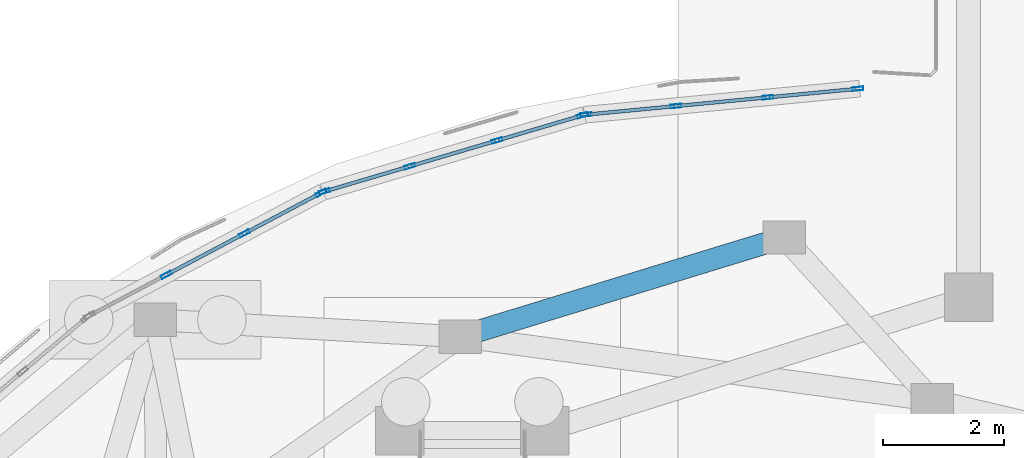
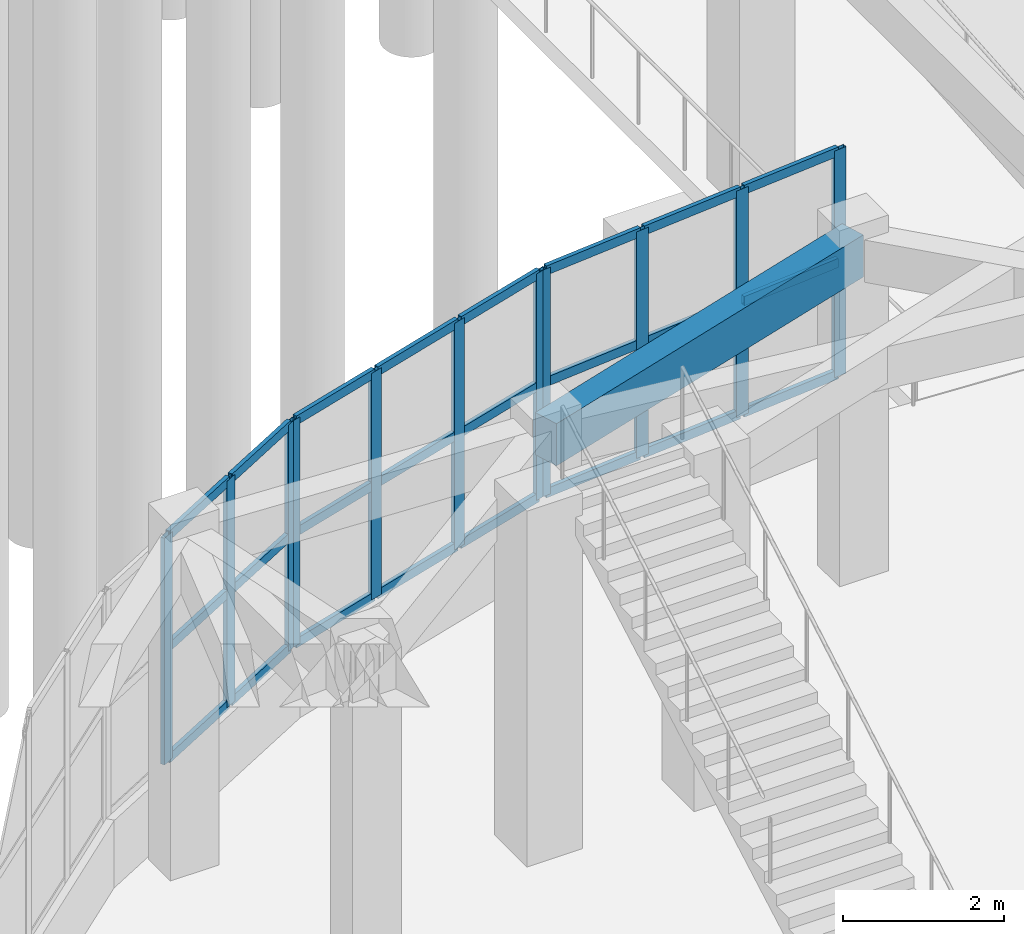
# One storey, part 20 of 96: 35 members, 1 beam, 3 elements without a shape of their own.
"""IFC4 building model written with IfcOpenShell, lengths in metres."""

from ifc_helpers import new_model, si_unit, direction, frame, origin, origin_2d, place, context, subcontext, project, spatial, rectangle, hollow_rectangle, extrude, material, layer, layer_set, material_profile, profile_set, type_object, element, aggregate, save


model = new_model("IFC4")

# Units and contexts
model_context = context("Model", 3, precision=1e-05, world=origin(), true_north=direction((0.0, 1.0)))
body_context = subcontext(model_context, "Body", "Model", "MODEL_VIEW")
ifc_project = project(units=[si_unit("LENGTHUNIT", "METRE"), si_unit("AREAUNIT", "SQUARE_METRE"), si_unit("VOLUMEUNIT", "CUBIC_METRE"), si_unit("PLANEANGLEUNIT", "RADIAN"), si_unit("MASSUNIT", "GRAM", prefix="KILO")], contexts=[model_context])

# Site, building, storey
site_placement = place(None, origin())
site = spatial("IfcSite", under=ifc_project, at=site_placement, CompositionType="ELEMENT")
building_placement = place(site_placement, origin())
building = spatial("IfcBuilding", under=site, at=building_placement, Name="Pelvatis Terrace Science Centre", CompositionType="ELEMENT")
storey_placement = place(building_placement, origin())
storey = spatial("IfcBuildingStorey", under=building, at=storey_placement, Name="L00", CompositionType="ELEMENT", Elevation=0.0)

# Curtain wall, members
ifc_material_1 = material(Name="Bronze-anodised aluminium and laminated glass", Category="aluminium")
ifc_layer = layer(ifc_material_1, 0.179931640625)
ifc_layer_set = layer_set([ifc_layer], Name="Bronze-anodised aluminium and laminated glass")
curtain_wall_type = type_object("IfcCurtainWallType", Name="CW-RIBBON-A", PredefinedType="NOTDEFINED", material=ifc_layer_set)
curtain_wall_1_placement = place(storey_placement, origin())
curtain_wall_1 = element("IfcCurtainWall", 1, at=curtain_wall_1_placement, inside=storey, type_object=curtain_wall_type, Name="Ribbon curtain wall CW-001 (L00)", PredefinedType="NOTDEFINED")
ifc_material_2 = material(Name="Bronze-anodised aluminium 6063-T6", Category="aluminium")
ifc_material_profile_1 = material_profile(ifc_material_2, hollow_rectangle(XDim=0.06005859375, YDim=0.179931640625, WallThickness=0.00390625, at=origin_2d()), Name="ALU-MUL 60x180")
ifc_profile_set_1 = profile_set([ifc_material_profile_1], Name="Bronze-anodised aluminium 6063-T6")
member_type_1 = type_object("IfcMemberType", Name="CWM-60x180", PredefinedType="MULLION", material=ifc_profile_set_1)
member_1_placement = place(storey_placement, frame((45.570068359375, 51.447265625, 1.02001953125), z_axis=(0.0, 0.0, 1.0), x_axis=(0.094616036521, -0.995513840001, 0.0)))
member_1 = element("IfcMember", 2, at=member_1_placement, type_object=member_type_1, Name="CW-001 mullion 1", PredefinedType="MULLION", context=body_context, shape_type="SweptSolid", body=[
    extrude(hollow_rectangle(XDim=0.06005859375, YDim=0.179931640625, WallThickness=0.00390625, at=origin_2d()), origin(), (0.0, 0.0, 1.0), 3.43994140625),
])
member_2_placement = place(storey_placement, frame((44.083251953125, 51.305908203125, 1.02001953125), z_axis=(0.0, 0.0, 1.0), x_axis=(0.094616036521, -0.995513840001, 0.0)))
member_2 = element("IfcMember", 3, at=member_2_placement, type_object=member_type_1, Name="CW-001 mullion 2", PredefinedType="MULLION", context=body_context, shape_type="SweptSolid", body=[
    extrude(hollow_rectangle(XDim=0.06005859375, YDim=0.179931640625, WallThickness=0.00390625, at=origin_2d()), origin(), (0.0, 0.0, 1.0), 3.43994140625),
])
member_3_placement = place(storey_placement, frame((42.566162109375, 51.16162109375, 1.02001953125), z_axis=(0.0, 0.0, 1.0), x_axis=(0.094616036521, -0.995513840001, 0.0)))
member_3 = element("IfcMember", 4, at=member_3_placement, type_object=member_type_1, Name="CW-001 mullion 3", PredefinedType="MULLION", context=body_context, shape_type="SweptSolid", body=[
    extrude(hollow_rectangle(XDim=0.06005859375, YDim=0.179931640625, WallThickness=0.00390625, at=origin_2d()), origin(), (0.0, 0.0, 1.0), 3.43994140625),
])
member_4_placement = place(storey_placement, frame((41.079345703125, 51.020263671875, 1.02001953125), z_axis=(0.0, 0.0, 1.0), x_axis=(0.094616036521, -0.995513840001, 0.0)))
member_4 = element("IfcMember", 5, at=member_4_placement, type_object=member_type_1, Name="CW-001 mullion 4", PredefinedType="MULLION", context=body_context, shape_type="SweptSolid", body=[
    extrude(hollow_rectangle(XDim=0.06005859375, YDim=0.179931640625, WallThickness=0.00390625, at=origin_2d()), origin(), (0.0, 0.0, 1.0), 3.43994140625),
])

curtain_wall_2_placement = place(storey_placement, origin())
curtain_wall_2 = element("IfcCurtainWall", 6, at=curtain_wall_2_placement, inside=storey, type_object=curtain_wall_type, Name="Ribbon curtain wall CW-002 (L00)", PredefinedType="NOTDEFINED")
member_5_placement = place(storey_placement, frame((41.0205078125, 51.009033203125, 1.02001953125), z_axis=(0.0, 0.0, 1.0), x_axis=(0.283092423463, -0.959092633575, 0.0)))
member_5 = element("IfcMember", 7, at=member_5_placement, type_object=member_type_1, Name="CW-002 mullion 1", PredefinedType="MULLION", context=body_context, shape_type="SweptSolid", body=[
    extrude(hollow_rectangle(XDim=0.06005859375, YDim=0.179931640625, WallThickness=0.00390625, at=origin_2d()), origin(), (0.0, 0.0, 1.0), 3.43994140625),
])
member_6_placement = place(storey_placement, frame((39.608642578125, 50.59228515625, 1.02001953125), z_axis=(0.0, 0.0, 1.0), x_axis=(0.283092423463, -0.959092633575, 0.0)))
member_6 = element("IfcMember", 8, at=member_6_placement, type_object=member_type_1, Name="CW-002 mullion 2", PredefinedType="MULLION", context=body_context, shape_type="SweptSolid", body=[
    extrude(hollow_rectangle(XDim=0.06005859375, YDim=0.179931640625, WallThickness=0.00390625, at=origin_2d()), origin(), (0.0, 0.0, 1.0), 3.43994140625),
])
member_7_placement = place(storey_placement, frame((38.16796875, 50.1669921875, 1.02001953125), z_axis=(0.0, 0.0, 1.0), x_axis=(0.283092423463, -0.959092633575, 0.0)))
member_7 = element("IfcMember", 9, at=member_7_placement, type_object=member_type_1, Name="CW-002 mullion 3", PredefinedType="MULLION", context=body_context, shape_type="SweptSolid", body=[
    extrude(hollow_rectangle(XDim=0.06005859375, YDim=0.179931640625, WallThickness=0.00390625, at=origin_2d()), origin(), (0.0, 0.0, 1.0), 3.43994140625),
])
member_8_placement = place(storey_placement, frame((36.755859375, 49.750244140625, 1.02001953125), z_axis=(0.0, 0.0, 1.0), x_axis=(0.283092423463, -0.959092633575, 0.0)))
member_8 = element("IfcMember", 10, at=member_8_placement, type_object=member_type_1, Name="CW-002 mullion 4", PredefinedType="MULLION", context=body_context, shape_type="SweptSolid", body=[
    extrude(hollow_rectangle(XDim=0.06005859375, YDim=0.179931640625, WallThickness=0.00390625, at=origin_2d()), origin(), (0.0, 0.0, 1.0), 3.43994140625),
])

curtain_wall_3_placement = place(storey_placement, origin())
curtain_wall_3 = element("IfcCurtainWall", 11, at=curtain_wall_3_placement, inside=storey, type_object=curtain_wall_type, Name="Ribbon curtain wall CW-003 (L00)", PredefinedType="NOTDEFINED")
member_9_placement = place(storey_placement, frame((36.70068359375, 49.7275390625, 1.02001953125), z_axis=(0.0, 0.0, 1.0), x_axis=(0.468298084466, -0.88357054279, 0.0)))
member_9 = element("IfcMember", 12, at=member_9_placement, type_object=member_type_1, Name="CW-003 mullion 1", PredefinedType="MULLION", context=body_context, shape_type="SweptSolid", body=[
    extrude(hollow_rectangle(XDim=0.06005859375, YDim=0.179931640625, WallThickness=0.00390625, at=origin_2d()), origin(), (0.0, 0.0, 1.0), 3.43994140625),
])
member_10_placement = place(storey_placement, frame((35.4345703125, 49.056640625, 1.02001953125), z_axis=(0.0, 0.0, 1.0), x_axis=(0.468298084466, -0.88357054279, 0.0)))
member_10 = element("IfcMember", 13, at=member_10_placement, type_object=member_type_1, Name="CW-003 mullion 2", PredefinedType="MULLION", context=body_context, shape_type="SweptSolid", body=[
    extrude(hollow_rectangle(XDim=0.06005859375, YDim=0.179931640625, WallThickness=0.00390625, at=origin_2d()), origin(), (0.0, 0.0, 1.0), 3.43994140625),
])
member_11_placement = place(storey_placement, frame((34.14208984375, 48.37158203125, 1.02001953125), z_axis=(0.0, 0.0, 1.0), x_axis=(0.468298084466, -0.88357054279, 0.0)))
member_11 = element("IfcMember", 14, at=member_11_placement, type_object=member_type_1, Name="CW-003 mullion 3", PredefinedType="MULLION", context=body_context, shape_type="SweptSolid", body=[
    extrude(hollow_rectangle(XDim=0.06005859375, YDim=0.179931640625, WallThickness=0.00390625, at=origin_2d()), origin(), (0.0, 0.0, 1.0), 3.43994140625),
])

# Member
ifc_material_3 = material(Name="Bronze-anodised aluminium 6063-T6", Category="aluminium")
ifc_material_profile_2 = material_profile(ifc_material_3, hollow_rectangle(XDim=0.06005859375, YDim=0.139892578125, WallThickness=0.00390625, at=origin_2d()), Name="ALU-TRN 60x140")
ifc_profile_set_2 = profile_set([ifc_material_profile_2], Name="Bronze-anodised aluminium 6063-T6")
member_type_2 = type_object("IfcMemberType", Name="CWT-60x140", PredefinedType="USERDEFINED", material=ifc_profile_set_2)
member_12_placement = place(storey_placement, frame((45.540283203125, 51.4443359375, 1.050048828125), z_axis=(-0.99550770977, -0.094680514306, 0.0), x_axis=(0.094680514306, -0.99550770977, 0.0)))
member_12 = element("IfcMember", 15, at=member_12_placement, type_object=member_type_2, Name="CW-001 transom 1.1", ObjectType="TRANSOM", PredefinedType="USERDEFINED", context=body_context, shape_type="SweptSolid", body=[
    extrude(hollow_rectangle(XDim=0.06005859375, YDim=0.139892578125, WallThickness=0.00390625, at=origin_2d()), origin(), (0.0, 0.0, 1.0), 1.43359375),
])

member_13_placement = place(storey_placement, frame((45.540283203125, 51.4443359375, 2.739990234375), z_axis=(-0.99550770977, -0.094680514306, 0.0), x_axis=(0.094680514306, -0.99550770977, 0.0)))
member_13 = element("IfcMember", 16, at=member_13_placement, type_object=member_type_2, Name="CW-001 transom 1.2", ObjectType="TRANSOM", PredefinedType="USERDEFINED", context=body_context, shape_type="SweptSolid", body=[
    extrude(hollow_rectangle(XDim=0.06005859375, YDim=0.139892578125, WallThickness=0.00390625, at=origin_2d()), origin(), (0.0, 0.0, 1.0), 1.43359375),
])

member_14_placement = place(storey_placement, frame((45.540283203125, 51.4443359375, 4.429931640625), z_axis=(-0.99550770977, -0.094680514306, 0.0), x_axis=(0.094680514306, -0.99550770977, 0.0)))
member_14 = element("IfcMember", 17, at=member_14_placement, type_object=member_type_2, Name="CW-001 transom 1.3", ObjectType="TRANSOM", PredefinedType="USERDEFINED", context=body_context, shape_type="SweptSolid", body=[
    extrude(hollow_rectangle(XDim=0.06005859375, YDim=0.139892578125, WallThickness=0.00390625, at=origin_2d()), origin(), (0.0, 0.0, 1.0), 1.43359375),
])

member_15_placement = place(storey_placement, frame((44.05322265625, 51.302978515625, 1.050048828125), z_axis=(-0.99551718784, -0.094580805212, 0.0), x_axis=(0.094580805212, -0.99551718784, 0.0)))
member_15 = element("IfcMember", 18, at=member_15_placement, type_object=member_type_2, Name="CW-001 transom 2.1", ObjectType="TRANSOM", PredefinedType="USERDEFINED", context=body_context, shape_type="SweptSolid", body=[
    extrude(hollow_rectangle(XDim=0.06005859375, YDim=0.139892578125, WallThickness=0.00390625, at=origin_2d()), origin(), (0.0, 0.0, 1.0), 1.463623046875),
])

member_16_placement = place(storey_placement, frame((44.05322265625, 51.302978515625, 2.739990234375), z_axis=(-0.99551718784, -0.094580805212, 0.0), x_axis=(0.094580805212, -0.99551718784, 0.0)))
member_16 = element("IfcMember", 19, at=member_16_placement, type_object=member_type_2, Name="CW-001 transom 2.2", ObjectType="TRANSOM", PredefinedType="USERDEFINED", context=body_context, shape_type="SweptSolid", body=[
    extrude(hollow_rectangle(XDim=0.06005859375, YDim=0.139892578125, WallThickness=0.00390625, at=origin_2d()), origin(), (0.0, 0.0, 1.0), 1.463623046875),
])

member_17_placement = place(storey_placement, frame((44.05322265625, 51.302978515625, 4.429931640625), z_axis=(-0.99551718784, -0.094580805212, 0.0), x_axis=(0.094580805212, -0.99551718784, 0.0)))
member_17 = element("IfcMember", 20, at=member_17_placement, type_object=member_type_2, Name="CW-001 transom 2.3", ObjectType="TRANSOM", PredefinedType="USERDEFINED", context=body_context, shape_type="SweptSolid", body=[
    extrude(hollow_rectangle(XDim=0.06005859375, YDim=0.139892578125, WallThickness=0.00390625, at=origin_2d()), origin(), (0.0, 0.0, 1.0), 1.463623046875),
])

member_18_placement = place(storey_placement, frame((42.536376953125, 51.158935546875, 1.050048828125), z_axis=(-0.99550770977, -0.094680514306, 0.0), x_axis=(0.094680514306, -0.99550770977, 0.0)))
member_18 = element("IfcMember", 21, at=member_18_placement, type_object=member_type_2, Name="CW-001 transom 3.1", ObjectType="TRANSOM", PredefinedType="USERDEFINED", context=body_context, shape_type="SweptSolid", body=[
    extrude(hollow_rectangle(XDim=0.06005859375, YDim=0.139892578125, WallThickness=0.00390625, at=origin_2d()), origin(), (0.0, 0.0, 1.0), 1.43359375),
])

member_19_placement = place(storey_placement, frame((42.536376953125, 51.158935546875, 2.739990234375), z_axis=(-0.99550770977, -0.094680514306, 0.0), x_axis=(0.094680514306, -0.99550770977, 0.0)))
member_19 = element("IfcMember", 22, at=member_19_placement, type_object=member_type_2, Name="CW-001 transom 3.2", ObjectType="TRANSOM", PredefinedType="USERDEFINED", context=body_context, shape_type="SweptSolid", body=[
    extrude(hollow_rectangle(XDim=0.06005859375, YDim=0.139892578125, WallThickness=0.00390625, at=origin_2d()), origin(), (0.0, 0.0, 1.0), 1.43359375),
])

member_20_placement = place(storey_placement, frame((42.536376953125, 51.158935546875, 4.429931640625), z_axis=(-0.99550770977, -0.094680514306, 0.0), x_axis=(0.094680514306, -0.99550770977, 0.0)))
member_20 = element("IfcMember", 23, at=member_20_placement, type_object=member_type_2, Name="CW-001 transom 3.3", ObjectType="TRANSOM", PredefinedType="USERDEFINED", context=body_context, shape_type="SweptSolid", body=[
    extrude(hollow_rectangle(XDim=0.06005859375, YDim=0.139892578125, WallThickness=0.00390625, at=origin_2d()), origin(), (0.0, 0.0, 1.0), 1.43359375),
])

aggregate(curtain_wall_1, [member_1, member_2, member_3, member_4, member_12, member_13, member_14, member_15, member_16, member_17, member_18, member_19, member_20])

member_21_placement = place(storey_placement, frame((40.991943359375, 51.00048828125, 1.050048828125), z_axis=(-0.959120139458, -0.282999219231, 0.0), x_axis=(0.282999219231, -0.959120139458, 0.0)))
member_21 = element("IfcMember", 24, at=member_21_placement, type_object=member_type_2, Name="CW-002 transom 1.1", ObjectType="TRANSOM", PredefinedType="USERDEFINED", context=body_context, shape_type="SweptSolid", body=[
    extrude(hollow_rectangle(XDim=0.06005859375, YDim=0.139892578125, WallThickness=0.00390625, at=origin_2d()), origin(), (0.0, 0.0, 1.0), 1.412109375),
])

member_22_placement = place(storey_placement, frame((40.991943359375, 51.00048828125, 2.739990234375), z_axis=(-0.959120139458, -0.282999219231, 0.0), x_axis=(0.282999219231, -0.959120139458, 0.0)))
member_22 = element("IfcMember", 25, at=member_22_placement, type_object=member_type_2, Name="CW-002 transom 1.2", ObjectType="TRANSOM", PredefinedType="USERDEFINED", context=body_context, shape_type="SweptSolid", body=[
    extrude(hollow_rectangle(XDim=0.06005859375, YDim=0.139892578125, WallThickness=0.00390625, at=origin_2d()), origin(), (0.0, 0.0, 1.0), 1.412109375),
])

member_23_placement = place(storey_placement, frame((40.991943359375, 51.00048828125, 4.429931640625), z_axis=(-0.959120139458, -0.282999219231, 0.0), x_axis=(0.282999219231, -0.959120139458, 0.0)))
member_23 = element("IfcMember", 26, at=member_23_placement, type_object=member_type_2, Name="CW-002 transom 1.3", ObjectType="TRANSOM", PredefinedType="USERDEFINED", context=body_context, shape_type="SweptSolid", body=[
    extrude(hollow_rectangle(XDim=0.06005859375, YDim=0.139892578125, WallThickness=0.00390625, at=origin_2d()), origin(), (0.0, 0.0, 1.0), 1.412109375),
])

member_24_placement = place(storey_placement, frame((39.579833984375, 50.583740234375, 1.050048828125), z_axis=(-0.95911174149, -0.283027679451, 0.0), x_axis=(0.283027679451, -0.95911174149, 0.0)))
member_24 = element("IfcMember", 27, at=member_24_placement, type_object=member_type_2, Name="CW-002 transom 2.1", ObjectType="TRANSOM", PredefinedType="USERDEFINED", context=body_context, shape_type="SweptSolid", body=[
    extrude(hollow_rectangle(XDim=0.06005859375, YDim=0.139892578125, WallThickness=0.00390625, at=origin_2d()), origin(), (0.0, 0.0, 1.0), 1.4423828125),
])

member_25_placement = place(storey_placement, frame((39.579833984375, 50.583740234375, 2.739990234375), z_axis=(-0.95911174149, -0.283027679451, 0.0), x_axis=(0.283027679451, -0.95911174149, 0.0)))
member_25 = element("IfcMember", 28, at=member_25_placement, type_object=member_type_2, Name="CW-002 transom 2.2", ObjectType="TRANSOM", PredefinedType="USERDEFINED", context=body_context, shape_type="SweptSolid", body=[
    extrude(hollow_rectangle(XDim=0.06005859375, YDim=0.139892578125, WallThickness=0.00390625, at=origin_2d()), origin(), (0.0, 0.0, 1.0), 1.4423828125),
])

member_26_placement = place(storey_placement, frame((39.579833984375, 50.583740234375, 4.429931640625), z_axis=(-0.95911174149, -0.283027679451, 0.0), x_axis=(0.283027679451, -0.95911174149, 0.0)))
member_26 = element("IfcMember", 29, at=member_26_placement, type_object=member_type_2, Name="CW-002 transom 2.3", ObjectType="TRANSOM", PredefinedType="USERDEFINED", context=body_context, shape_type="SweptSolid", body=[
    extrude(hollow_rectangle(XDim=0.06005859375, YDim=0.139892578125, WallThickness=0.00390625, at=origin_2d()), origin(), (0.0, 0.0, 1.0), 1.4423828125),
])

member_27_placement = place(storey_placement, frame((38.13916015625, 50.158447265625, 1.050048828125), z_axis=(-0.959120139458, -0.282999219231, 0.0), x_axis=(0.282999219231, -0.959120139458, 0.0)))
member_27 = element("IfcMember", 30, at=member_27_placement, type_object=member_type_2, Name="CW-002 transom 3.1", ObjectType="TRANSOM", PredefinedType="USERDEFINED", context=body_context, shape_type="SweptSolid", body=[
    extrude(hollow_rectangle(XDim=0.06005859375, YDim=0.139892578125, WallThickness=0.00390625, at=origin_2d()), origin(), (0.0, 0.0, 1.0), 1.412109375),
])

member_28_placement = place(storey_placement, frame((38.13916015625, 50.158447265625, 2.739990234375), z_axis=(-0.959120139458, -0.282999219231, 0.0), x_axis=(0.282999219231, -0.959120139458, 0.0)))
member_28 = element("IfcMember", 31, at=member_28_placement, type_object=member_type_2, Name="CW-002 transom 3.2", ObjectType="TRANSOM", PredefinedType="USERDEFINED", context=body_context, shape_type="SweptSolid", body=[
    extrude(hollow_rectangle(XDim=0.06005859375, YDim=0.139892578125, WallThickness=0.00390625, at=origin_2d()), origin(), (0.0, 0.0, 1.0), 1.412109375),
])

member_29_placement = place(storey_placement, frame((38.13916015625, 50.158447265625, 4.429931640625), z_axis=(-0.959120139458, -0.282999219231, 0.0), x_axis=(0.282999219231, -0.959120139458, 0.0)))
member_29 = element("IfcMember", 32, at=member_29_placement, type_object=member_type_2, Name="CW-002 transom 3.3", ObjectType="TRANSOM", PredefinedType="USERDEFINED", context=body_context, shape_type="SweptSolid", body=[
    extrude(hollow_rectangle(XDim=0.06005859375, YDim=0.139892578125, WallThickness=0.00390625, at=origin_2d()), origin(), (0.0, 0.0, 1.0), 1.412109375),
])

aggregate(curtain_wall_2, [member_5, member_6, member_7, member_8, member_21, member_22, member_23, member_24, member_25, member_26, member_27, member_28, member_29])

member_30_placement = place(storey_placement, frame((36.674072265625, 49.713623046875, 1.050048828125), z_axis=(-0.88357584358, -0.46828808296, 0.0), x_axis=(0.46828808296, -0.88357584358, 0.0)))
member_30 = element("IfcMember", 33, at=member_30_placement, type_object=member_type_2, Name="CW-003 transom 1.1", ObjectType="TRANSOM", PredefinedType="USERDEFINED", context=body_context, shape_type="SweptSolid", body=[
    extrude(hollow_rectangle(XDim=0.06005859375, YDim=0.139892578125, WallThickness=0.00390625, at=origin_2d()), origin(), (0.0, 0.0, 1.0), 1.372802734375),
])

member_31_placement = place(storey_placement, frame((36.674072265625, 49.713623046875, 2.739990234375), z_axis=(-0.88357584358, -0.46828808296, 0.0), x_axis=(0.46828808296, -0.88357584358, 0.0)))
member_31 = element("IfcMember", 34, at=member_31_placement, type_object=member_type_2, Name="CW-003 transom 1.2", ObjectType="TRANSOM", PredefinedType="USERDEFINED", context=body_context, shape_type="SweptSolid", body=[
    extrude(hollow_rectangle(XDim=0.06005859375, YDim=0.139892578125, WallThickness=0.00390625, at=origin_2d()), origin(), (0.0, 0.0, 1.0), 1.372802734375),
])

member_32_placement = place(storey_placement, frame((36.674072265625, 49.713623046875, 4.429931640625), z_axis=(-0.88357584358, -0.46828808296, 0.0), x_axis=(0.46828808296, -0.88357584358, 0.0)))
member_32 = element("IfcMember", 35, at=member_32_placement, type_object=member_type_2, Name="CW-003 transom 1.3", ObjectType="TRANSOM", PredefinedType="USERDEFINED", context=body_context, shape_type="SweptSolid", body=[
    extrude(hollow_rectangle(XDim=0.06005859375, YDim=0.139892578125, WallThickness=0.00390625, at=origin_2d()), origin(), (0.0, 0.0, 1.0), 1.372802734375),
])

member_33_placement = place(storey_placement, frame((35.408203125, 49.042724609375, 1.050048828125), z_axis=(-0.883559217808, -0.468319451472, 0.0), x_axis=(0.468319451472, -0.883559217808, 0.0)))
member_33 = element("IfcMember", 36, at=member_33_placement, type_object=member_type_2, Name="CW-003 transom 2.1", ObjectType="TRANSOM", PredefinedType="USERDEFINED", context=body_context, shape_type="SweptSolid", body=[
    extrude(hollow_rectangle(XDim=0.06005859375, YDim=0.139892578125, WallThickness=0.00390625, at=origin_2d()), origin(), (0.0, 0.0, 1.0), 1.40283203125),
])

member_34_placement = place(storey_placement, frame((35.408203125, 49.042724609375, 2.739990234375), z_axis=(-0.883559217808, -0.468319451472, 0.0), x_axis=(0.468319451472, -0.883559217808, 0.0)))
member_34 = element("IfcMember", 37, at=member_34_placement, type_object=member_type_2, Name="CW-003 transom 2.2", ObjectType="TRANSOM", PredefinedType="USERDEFINED", context=body_context, shape_type="SweptSolid", body=[
    extrude(hollow_rectangle(XDim=0.06005859375, YDim=0.139892578125, WallThickness=0.00390625, at=origin_2d()), origin(), (0.0, 0.0, 1.0), 1.40283203125),
])

member_35_placement = place(storey_placement, frame((35.408203125, 49.042724609375, 4.429931640625), z_axis=(-0.883559217808, -0.468319451472, 0.0), x_axis=(0.468319451472, -0.883559217808, 0.0)))
member_35 = element("IfcMember", 38, at=member_35_placement, type_object=member_type_2, Name="CW-003 transom 2.3", ObjectType="TRANSOM", PredefinedType="USERDEFINED", context=body_context, shape_type="SweptSolid", body=[
    extrude(hollow_rectangle(XDim=0.06005859375, YDim=0.139892578125, WallThickness=0.00390625, at=origin_2d()), origin(), (0.0, 0.0, 1.0), 1.40283203125),
])

aggregate(curtain_wall_3, [member_9, member_10, member_11, member_30, member_31, member_32, member_33, member_34, member_35])

# Beam
ifc_material_4 = material(Name="Concrete C35/45", Category="concrete")
ifc_material_profile_3 = material_profile(ifc_material_4, rectangle(XDim=0.360107421875, YDim=0.639892578125, at=origin_2d()), Name="RC-SPN 360x640")
ifc_profile_set_3 = profile_set([ifc_material_profile_3], Name="Concrete C35/45")
beam_type = type_object("IfcBeamType", Name="SPN-RC-360x640", PredefinedType="SPANDREL", material=ifc_profile_set_3)
beam_placement = place(storey_placement, frame((44.352294921875, 48.990234375, 4.820068359375), z_axis=(-0.95617703215, -0.292789144589, 0.0), x_axis=(0.292789144589, -0.95617703215, 0.0)))
element("IfcBeam", 39, at=beam_placement, inside=storey, type_object=beam_type, Name="Spandrel SP-L00-2316", PredefinedType="SPANDREL", context=body_context, shape_type="SweptSolid", body=[
    extrude(rectangle(XDim=0.360107421875, YDim=0.639892578125, at=origin_2d()), origin(), (0.0, 0.0, 1.0), 5.59765625),
])

save(model, "model.ifc")
